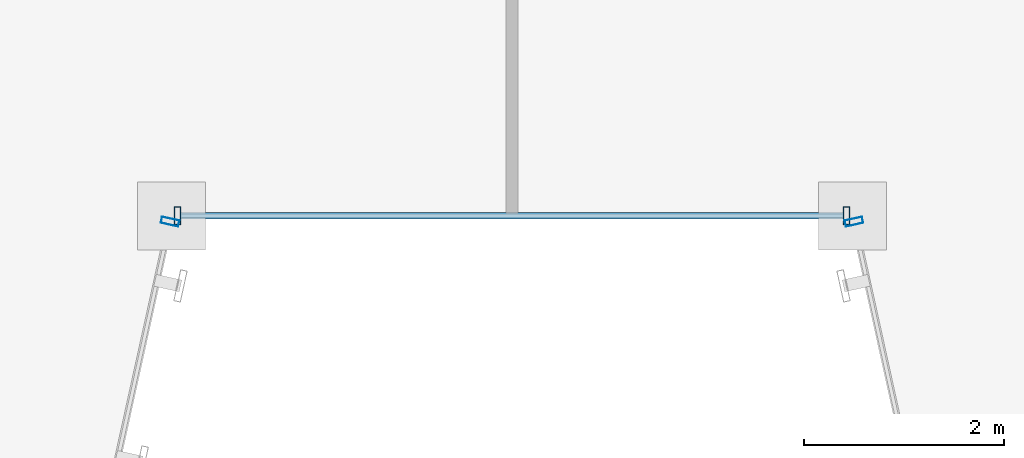
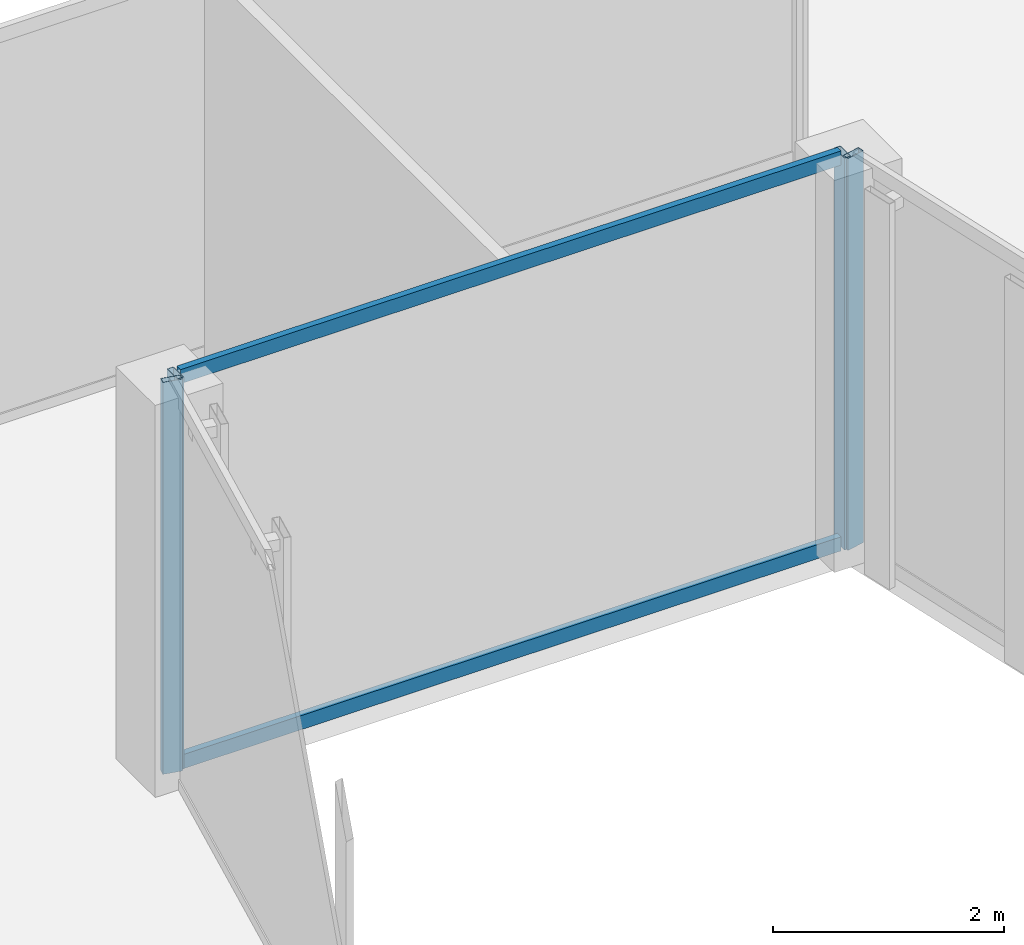
# One storey, part 9 of 47: 6 members, 3 elements without a shape of their own.
"""IFC4 building model written with IfcOpenShell, lengths in metres."""

from ifc_helpers import new_model, si_unit, direction, frame, origin, origin_2d, place, context, subcontext, project, spatial, hollow_rectangle, extrude, material, material_profile, profile_set, type_object, element, aggregate, save


model = new_model("IFC4")

# Units and contexts
model_context = context("Model", 3, precision=1e-05, world=origin(), true_north=direction((0.0, 1.0)))
body_context = subcontext(model_context, "Body", "Model", "MODEL_VIEW")
ifc_project = project(units=[si_unit("LENGTHUNIT", "METRE"), si_unit("AREAUNIT", "SQUARE_METRE"), si_unit("VOLUMEUNIT", "CUBIC_METRE"), si_unit("PLANEANGLEUNIT", "RADIAN"), si_unit("MASSUNIT", "GRAM", prefix="KILO")], contexts=[model_context])

# Site, building, storey
site_placement = place(None, origin())
site = spatial("IfcSite", under=ifc_project, at=site_placement, CompositionType="ELEMENT")
building_placement = place(site_placement, origin())
building = spatial("IfcBuilding", under=site, at=building_placement, Name="Saevonmaru Cultural Tower", CompositionType="ELEMENT")
storey_placement = place(building_placement, frame((0.0, 0.0, 51.60009765625)))
storey = spatial("IfcBuildingStorey", under=building, at=storey_placement, Name="L10", CompositionType="ELEMENT", Elevation=51.60009765625)

# Curtain wall, member
ifc_material = material(Name="Satin Bronze Anodised Aluminium", Category="aluminium")
curtain_wall_type = type_object("IfcCurtainWallType", Name="CW-TYP-A", PredefinedType="NOTDEFINED", material=ifc_material)
curtain_wall_1_placement = place(storey_placement, origin())
curtain_wall_1 = element("IfcCurtainWall", 1, at=curtain_wall_1_placement, inside=storey, type_object=curtain_wall_type, Name="L10 Unitised Curtain Wall E3", PredefinedType="NOTDEFINED")
ifc_material_profile_1 = material_profile(ifc_material, hollow_rectangle(XDim=0.06494140625, YDim=0.179931640625, WallThickness=0.00390625, at=origin_2d()), Name="ALU-MULL-180x65x4")
ifc_profile_set_1 = profile_set([ifc_material_profile_1], Name="Satin Bronze Anodised Aluminium")
member_type_1 = type_object("IfcMemberType", Name="ML-CW-180x65", PredefinedType="MULLION", material=ifc_profile_set_1)
member_1_placement = place(storey_placement, frame((26.587158203125, 15.54150390625, 0.0), z_axis=(0.0, 0.0, 1.0), x_axis=(0.215413319953, 0.976522965212, 0.0)))
member_1 = element("IfcMember", 2, at=member_1_placement, type_object=member_type_1, Name="CW-TW-L10-E3 mullion 2", PredefinedType="MULLION", context=body_context, shape_type="SweptSolid", body=[
    extrude(hollow_rectangle(XDim=0.06494140625, YDim=0.179931640625, WallThickness=0.00390625, at=origin_2d()), origin(), (0.0, 0.0, 1.0), 4.14990234375),
])
aggregate(curtain_wall_1, [member_1])

# Curtain wall, members
curtain_wall_2_placement = place(storey_placement, origin())
curtain_wall_2 = element("IfcCurtainWall", 3, at=curtain_wall_2_placement, inside=storey, type_object=curtain_wall_type, Name="L10 Unitised Curtain Wall E4", PredefinedType="NOTDEFINED")
member_2_placement = place(storey_placement, frame((26.659912109375, 15.60009765625, 0.0), z_axis=(0.0, 0.0, 1.0), x_axis=(1.0, 0.0, 0.0)))
member_2 = element("IfcMember", 4, at=member_2_placement, type_object=member_type_1, Name="CW-TW-L10-E4 mullion 1", PredefinedType="MULLION", context=body_context, shape_type="SweptSolid", body=[
    extrude(hollow_rectangle(XDim=0.06494140625, YDim=0.179931640625, WallThickness=0.00390625, at=origin_2d()), origin(), (0.0, 0.0, 1.0), 4.14990234375),
])
member_3_placement = place(storey_placement, frame((33.340087890625, 15.60009765625, 0.0), z_axis=(0.0, 0.0, 1.0), x_axis=(1.0, 0.0, 0.0)))
member_3 = element("IfcMember", 5, at=member_3_placement, type_object=member_type_1, Name="CW-TW-L10-E4 mullion 2", PredefinedType="MULLION", context=body_context, shape_type="SweptSolid", body=[
    extrude(hollow_rectangle(XDim=0.06494140625, YDim=0.179931640625, WallThickness=0.00390625, at=origin_2d()), origin(), (0.0, 0.0, 1.0), 4.14990234375),
])

# Curtain wall, member
curtain_wall_3_placement = place(storey_placement, origin())
curtain_wall_3 = element("IfcCurtainWall", 6, at=curtain_wall_3_placement, inside=storey, type_object=curtain_wall_type, Name="L10 Unitised Curtain Wall E5", PredefinedType="NOTDEFINED")
member_4_placement = place(storey_placement, frame((33.412841796875, 15.54150390625, 0.0), z_axis=(0.0, 0.0, 1.0), x_axis=(0.215413319953, -0.976522965212, 0.0)))
member_4 = element("IfcMember", 7, at=member_4_placement, type_object=member_type_1, Name="CW-TW-L10-E5 mullion 1", PredefinedType="MULLION", context=body_context, shape_type="SweptSolid", body=[
    extrude(hollow_rectangle(XDim=0.06494140625, YDim=0.179931640625, WallThickness=0.00390625, at=origin_2d()), origin(), (0.0, 0.0, 1.0), 4.14990234375),
])
aggregate(curtain_wall_3, [member_4])

# Member
ifc_material_profile_2 = material_profile(ifc_material, hollow_rectangle(XDim=0.06494140625, YDim=0.14990234375, WallThickness=0.00390625, at=origin_2d()), Name="ALU-TRAN-150x65x4")
ifc_profile_set_2 = profile_set([ifc_material_profile_2], Name="Satin Bronze Anodised Aluminium")
member_type_2 = type_object("IfcMemberType", Name="TR-CW-150x65", PredefinedType="USERDEFINED", material=ifc_profile_set_2)
member_5_placement = place(storey_placement, frame((26.6923828125, 15.60009765625, 0.032470703125), z_axis=(1.0, 0.0, 0.0), x_axis=(0.0, 1.0, 0.0)))
member_5 = element("IfcMember", 8, at=member_5_placement, type_object=member_type_2, Name="CW-TW-L10-E4 transom 1.1", ObjectType="TRANSOM", PredefinedType="USERDEFINED", context=body_context, shape_type="SweptSolid", body=[
    extrude(hollow_rectangle(XDim=0.06494140625, YDim=0.14990234375, WallThickness=0.00390625, at=origin_2d()), origin(), (0.0, 0.0, 1.0), 6.615234375),
])

member_6_placement = place(storey_placement, frame((26.6923828125, 15.60009765625, 4.117431640625), z_axis=(1.0, 0.0, 0.0), x_axis=(0.0, 1.0, 0.0)))
member_6 = element("IfcMember", 9, at=member_6_placement, type_object=member_type_2, Name="CW-TW-L10-E4 transom 1.2", ObjectType="TRANSOM", PredefinedType="USERDEFINED", context=body_context, shape_type="SweptSolid", body=[
    extrude(hollow_rectangle(XDim=0.06494140625, YDim=0.14990234375, WallThickness=0.00390625, at=origin_2d()), origin(), (0.0, 0.0, 1.0), 6.615234375),
])

aggregate(curtain_wall_2, [member_2, member_3, member_5, member_6])

save(model, "model.ifc")
